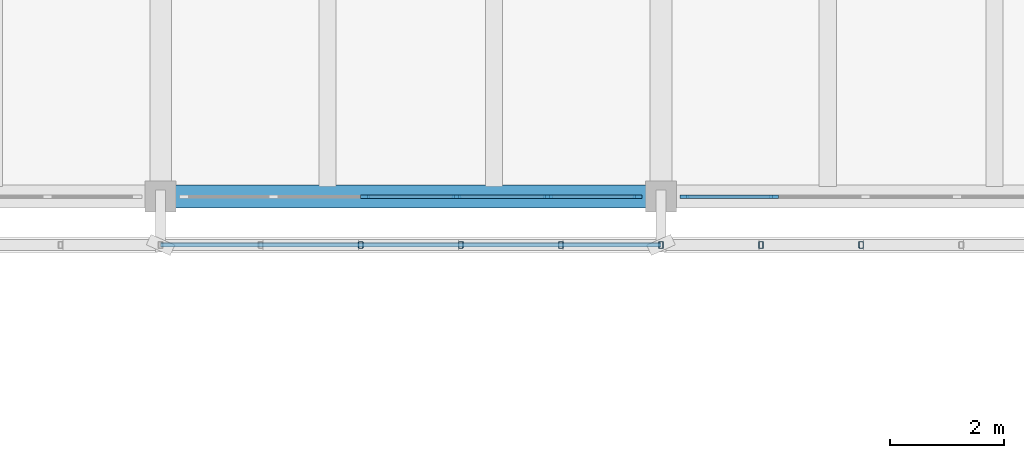
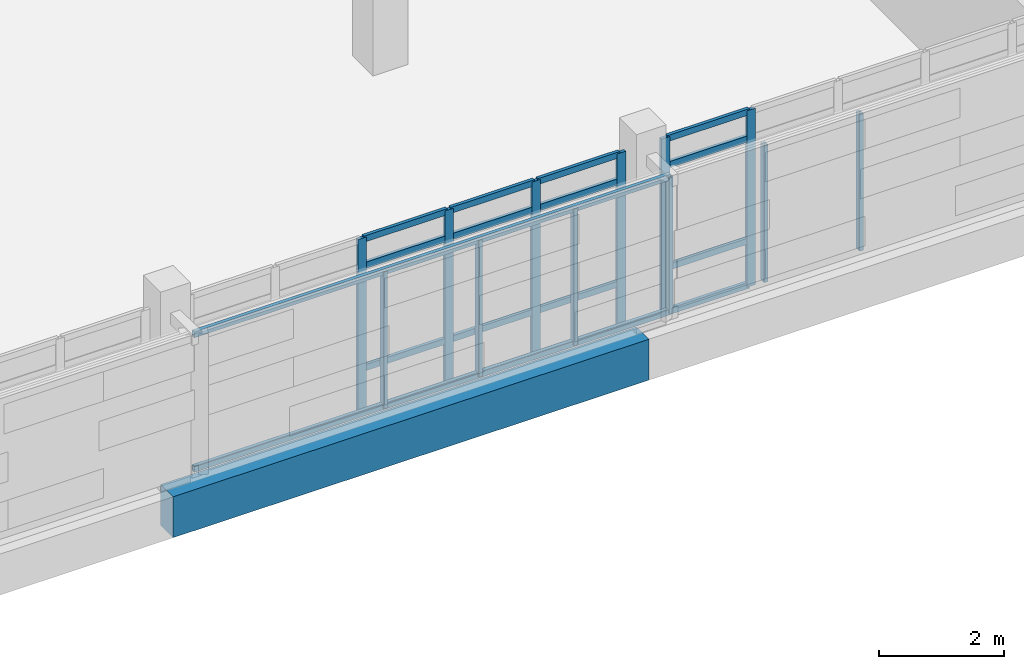
# One storey, part 57 of 117: 30 members, 1 beam, 2 elements without a shape of their own.
"""IFC4 building model written with IfcOpenShell, lengths in metres."""

from ifc_helpers import new_model, si_unit, direction, frame, origin, origin_2d, place, context, subcontext, project, spatial, rectangle, hollow_rectangle, extrude, material, material_profile, profile_set, type_object, element, aggregate, save


model = new_model("IFC4")

# Units and contexts
model_context = context("Model", 3, precision=1e-05, world=origin(), true_north=direction((0.0, 1.0)))
body_context = subcontext(model_context, "Body", "Model", "MODEL_VIEW")
ifc_project = project(units=[si_unit("LENGTHUNIT", "METRE"), si_unit("AREAUNIT", "SQUARE_METRE"), si_unit("VOLUMEUNIT", "CUBIC_METRE"), si_unit("PLANEANGLEUNIT", "RADIAN"), si_unit("MASSUNIT", "GRAM", prefix="KILO")], contexts=[model_context])

# Site, building, storey
site_placement = place(None, origin())
site = spatial("IfcSite", under=ifc_project, at=site_placement, CompositionType="ELEMENT")
building_placement = place(site_placement, origin())
building = spatial("IfcBuilding", under=site, at=building_placement, Name="Cinderway Yard Community Centre", CompositionType="ELEMENT")
storey_placement = place(building_placement, frame((0.0, 0.0, 9.0)))
storey = spatial("IfcBuildingStorey", under=building, at=storey_placement, Name="L02", CompositionType="ELEMENT", Elevation=9.0)

# Curtain wall, members
ifc_material_1 = material(Name="Aluminium 6063-T6", Category="aluminium")
curtain_wall_type = type_object("IfcCurtainWallType", Name="ENV-CW-TYPE-30", PredefinedType="USERDEFINED", material=ifc_material_1)
curtain_wall_1_placement = place(storey_placement, origin())
curtain_wall_1 = element("IfcCurtainWall", 1, at=curtain_wall_1_placement, inside=storey, type_object=curtain_wall_type, Name="V4 Courtyard Curtain Wall ENV-CW-L02-ST-0153", ObjectType="GLAZED CURTAIN WALL", PredefinedType="USERDEFINED")
ifc_material_profile_1 = material_profile(ifc_material_1, rectangle(XDim=0.06005859375, YDim=0.159912109375, at=origin_2d()), Name="Aluminium 6063-T6")
ifc_profile_set_1 = profile_set([ifc_material_profile_1], Name="Aluminium 6063-T6")
member_type_1 = type_object("IfcMemberType", Name="ENV-CW-MULL-150", PredefinedType="MULLION", material=ifc_profile_set_1)
member_1_placement = place(storey_placement, frame((105.196044921875, 90.0, 0.0), z_axis=(0.0, 0.0, 1.0), x_axis=(0.0, 1.0, 0.0)))
member_1 = element("IfcMember", 2, at=member_1_placement, type_object=member_type_1, Name="CW-30 mullion 3", PredefinedType="MULLION", context=body_context, shape_type="SweptSolid", body=[
    extrude(rectangle(XDim=0.06005859375, YDim=0.159912109375, at=origin_2d()), origin(), (0.0, 0.0, 1.0), 3.449951171875),
])
member_2_placement = place(storey_placement, frame((106.803955078125, 90.0, 0.0), z_axis=(0.0, 0.0, 1.0), x_axis=(0.0, 1.0, 0.0)))
member_2 = element("IfcMember", 3, at=member_2_placement, type_object=member_type_1, Name="CW-30 mullion 4", PredefinedType="MULLION", context=body_context, shape_type="SweptSolid", body=[
    extrude(rectangle(XDim=0.06005859375, YDim=0.159912109375, at=origin_2d()), origin(), (0.0, 0.0, 1.0), 3.449951171875),
])
member_3_placement = place(storey_placement, frame((108.412109375, 90.0, 0.0), z_axis=(0.0, 0.0, 1.0), x_axis=(0.0, 1.0, 0.0)))
member_3 = element("IfcMember", 4, at=member_3_placement, type_object=member_type_1, Name="CW-30 mullion 5", PredefinedType="MULLION", context=body_context, shape_type="SweptSolid", body=[
    extrude(rectangle(XDim=0.06005859375, YDim=0.159912109375, at=origin_2d()), origin(), (0.0, 0.0, 1.0), 3.449951171875),
])
member_4_placement = place(storey_placement, frame((109.989990234375, 90.0, 0.0), z_axis=(0.0, 0.0, 1.0), x_axis=(0.0, 1.0, 0.0)))
member_4 = element("IfcMember", 5, at=member_4_placement, type_object=member_type_1, Name="CW-30 mullion 6", PredefinedType="MULLION", context=body_context, shape_type="SweptSolid", body=[
    extrude(rectangle(XDim=0.06005859375, YDim=0.159912109375, at=origin_2d()), origin(), (0.0, 0.0, 1.0), 3.449951171875),
])

curtain_wall_2_placement = place(storey_placement, origin())
curtain_wall_2 = element("IfcCurtainWall", 6, at=curtain_wall_2_placement, inside=storey, type_object=curtain_wall_type, Name="V4 Courtyard Curtain Wall ENV-CW-L02-ST-0155", ObjectType="GLAZED CURTAIN WALL", PredefinedType="USERDEFINED")
member_5_placement = place(storey_placement, frame((110.81005859375, 90.0, 0.0), z_axis=(0.0, 0.0, 1.0), x_axis=(0.0, 1.0, 0.0)))
member_5 = element("IfcMember", 7, at=member_5_placement, type_object=member_type_1, Name="CW-30 mullion 1", PredefinedType="MULLION", context=body_context, shape_type="SweptSolid", body=[
    extrude(rectangle(XDim=0.06005859375, YDim=0.159912109375, at=origin_2d()), origin(), (0.0, 0.0, 1.0), 3.449951171875),
])
member_6_placement = place(storey_placement, frame((112.387939453125, 90.0, 0.0), z_axis=(0.0, 0.0, 1.0), x_axis=(0.0, 1.0, 0.0)))
member_6 = element("IfcMember", 8, at=member_6_placement, type_object=member_type_1, Name="CW-30 mullion 2", PredefinedType="MULLION", context=body_context, shape_type="SweptSolid", body=[
    extrude(rectangle(XDim=0.06005859375, YDim=0.159912109375, at=origin_2d()), origin(), (0.0, 0.0, 1.0), 3.449951171875),
])

# Member
ifc_material_profile_2 = material_profile(ifc_material_1, rectangle(XDim=0.06005859375, YDim=0.1201171875, at=origin_2d()), Name="Aluminium 6063-T6")
ifc_profile_set_2 = profile_set([ifc_material_profile_2], Name="Aluminium 6063-T6")
member_type_2 = type_object("IfcMemberType", Name="ENV-CW-TRAN-110", PredefinedType="USERDEFINED", material=ifc_profile_set_2)
member_7_placement = place(storey_placement, frame((105.22607421875, 90.0, 0.030029296875), z_axis=(1.0, 0.0, 0.0), x_axis=(0.0, 1.0, 0.0)))
member_7 = element("IfcMember", 9, at=member_7_placement, type_object=member_type_2, Name="CW-30 transom 3.1", ObjectType="TRANSOM", PredefinedType="USERDEFINED", context=body_context, shape_type="SweptSolid", body=[
    extrude(rectangle(XDim=0.06005859375, YDim=0.1201171875, at=origin_2d()), origin(), (0.0, 0.0, 1.0), 1.5478515625),
])

member_8_placement = place(storey_placement, frame((105.22607421875, 90.0, 0.89990234375), z_axis=(1.0, 0.0, 0.0), x_axis=(0.0, 1.0, 0.0)))
member_8 = element("IfcMember", 10, at=member_8_placement, type_object=member_type_2, Name="CW-30 transom 3.2", ObjectType="TRANSOM", PredefinedType="USERDEFINED", context=body_context, shape_type="SweptSolid", body=[
    extrude(rectangle(XDim=0.06005859375, YDim=0.1201171875, at=origin_2d()), origin(), (0.0, 0.0, 1.0), 1.5478515625),
])

member_9_placement = place(storey_placement, frame((105.22607421875, 90.0, 2.89990234375), z_axis=(1.0, 0.0, 0.0), x_axis=(0.0, 1.0, 0.0)))
member_9 = element("IfcMember", 11, at=member_9_placement, type_object=member_type_2, Name="CW-30 transom 3.3", ObjectType="TRANSOM", PredefinedType="USERDEFINED", context=body_context, shape_type="SweptSolid", body=[
    extrude(rectangle(XDim=0.06005859375, YDim=0.1201171875, at=origin_2d()), origin(), (0.0, 0.0, 1.0), 1.5478515625),
])

member_10_placement = place(storey_placement, frame((105.22607421875, 90.0, 3.419921875), z_axis=(1.0, 0.0, 0.0), x_axis=(0.0, 1.0, 0.0)))
member_10 = element("IfcMember", 12, at=member_10_placement, type_object=member_type_2, Name="CW-30 transom 3.4", ObjectType="TRANSOM", PredefinedType="USERDEFINED", context=body_context, shape_type="SweptSolid", body=[
    extrude(rectangle(XDim=0.06005859375, YDim=0.1201171875, at=origin_2d()), origin(), (0.0, 0.0, 1.0), 1.5478515625),
])

member_11_placement = place(storey_placement, frame((106.833984375, 90.0, 0.030029296875), z_axis=(1.0, 0.0, 0.0), x_axis=(0.0, 1.0, 0.0)))
member_11 = element("IfcMember", 13, at=member_11_placement, type_object=member_type_2, Name="CW-30 transom 4.1", ObjectType="TRANSOM", PredefinedType="USERDEFINED", context=body_context, shape_type="SweptSolid", body=[
    extrude(rectangle(XDim=0.06005859375, YDim=0.1201171875, at=origin_2d()), origin(), (0.0, 0.0, 1.0), 1.548095703125),
])

member_12_placement = place(storey_placement, frame((106.833984375, 90.0, 0.89990234375), z_axis=(1.0, 0.0, 0.0), x_axis=(0.0, 1.0, 0.0)))
member_12 = element("IfcMember", 14, at=member_12_placement, type_object=member_type_2, Name="CW-30 transom 4.2", ObjectType="TRANSOM", PredefinedType="USERDEFINED", context=body_context, shape_type="SweptSolid", body=[
    extrude(rectangle(XDim=0.06005859375, YDim=0.1201171875, at=origin_2d()), origin(), (0.0, 0.0, 1.0), 1.548095703125),
])

member_13_placement = place(storey_placement, frame((106.833984375, 90.0, 2.89990234375), z_axis=(1.0, 0.0, 0.0), x_axis=(0.0, 1.0, 0.0)))
member_13 = element("IfcMember", 15, at=member_13_placement, type_object=member_type_2, Name="CW-30 transom 4.3", ObjectType="TRANSOM", PredefinedType="USERDEFINED", context=body_context, shape_type="SweptSolid", body=[
    extrude(rectangle(XDim=0.06005859375, YDim=0.1201171875, at=origin_2d()), origin(), (0.0, 0.0, 1.0), 1.548095703125),
])

member_14_placement = place(storey_placement, frame((106.833984375, 90.0, 3.419921875), z_axis=(1.0, 0.0, 0.0), x_axis=(0.0, 1.0, 0.0)))
member_14 = element("IfcMember", 16, at=member_14_placement, type_object=member_type_2, Name="CW-30 transom 4.4", ObjectType="TRANSOM", PredefinedType="USERDEFINED", context=body_context, shape_type="SweptSolid", body=[
    extrude(rectangle(XDim=0.06005859375, YDim=0.1201171875, at=origin_2d()), origin(), (0.0, 0.0, 1.0), 1.548095703125),
])

member_15_placement = place(storey_placement, frame((108.44189453125, 90.0, 0.030029296875), z_axis=(1.0, 0.0, 0.0), x_axis=(0.0, 1.0, 0.0)))
member_15 = element("IfcMember", 17, at=member_15_placement, type_object=member_type_2, Name="CW-30 transom 5.1", ObjectType="TRANSOM", PredefinedType="USERDEFINED", context=body_context, shape_type="SweptSolid", body=[
    extrude(rectangle(XDim=0.06005859375, YDim=0.1201171875, at=origin_2d()), origin(), (0.0, 0.0, 1.0), 1.51806640625),
])

member_16_placement = place(storey_placement, frame((108.44189453125, 90.0, 0.89990234375), z_axis=(1.0, 0.0, 0.0), x_axis=(0.0, 1.0, 0.0)))
member_16 = element("IfcMember", 18, at=member_16_placement, type_object=member_type_2, Name="CW-30 transom 5.2", ObjectType="TRANSOM", PredefinedType="USERDEFINED", context=body_context, shape_type="SweptSolid", body=[
    extrude(rectangle(XDim=0.06005859375, YDim=0.1201171875, at=origin_2d()), origin(), (0.0, 0.0, 1.0), 1.51806640625),
])

member_17_placement = place(storey_placement, frame((108.44189453125, 90.0, 2.89990234375), z_axis=(1.0, 0.0, 0.0), x_axis=(0.0, 1.0, 0.0)))
member_17 = element("IfcMember", 19, at=member_17_placement, type_object=member_type_2, Name="CW-30 transom 5.3", ObjectType="TRANSOM", PredefinedType="USERDEFINED", context=body_context, shape_type="SweptSolid", body=[
    extrude(rectangle(XDim=0.06005859375, YDim=0.1201171875, at=origin_2d()), origin(), (0.0, 0.0, 1.0), 1.51806640625),
])

member_18_placement = place(storey_placement, frame((108.44189453125, 90.0, 3.419921875), z_axis=(1.0, 0.0, 0.0), x_axis=(0.0, 1.0, 0.0)))
member_18 = element("IfcMember", 20, at=member_18_placement, type_object=member_type_2, Name="CW-30 transom 5.4", ObjectType="TRANSOM", PredefinedType="USERDEFINED", context=body_context, shape_type="SweptSolid", body=[
    extrude(rectangle(XDim=0.06005859375, YDim=0.1201171875, at=origin_2d()), origin(), (0.0, 0.0, 1.0), 1.51806640625),
])

aggregate(curtain_wall_1, [member_1, member_2, member_3, member_4, member_7, member_8, member_9, member_10, member_11, member_12, member_13, member_14, member_15, member_16, member_17, member_18])

member_19_placement = place(storey_placement, frame((110.840087890625, 90.0, 0.030029296875), z_axis=(1.0, 0.0, 0.0), x_axis=(0.0, 1.0, 0.0)))
member_19 = element("IfcMember", 21, at=member_19_placement, type_object=member_type_2, Name="CW-30 transom 1.1", ObjectType="TRANSOM", PredefinedType="USERDEFINED", context=body_context, shape_type="SweptSolid", body=[
    extrude(rectangle(XDim=0.06005859375, YDim=0.1201171875, at=origin_2d()), origin(), (0.0, 0.0, 1.0), 1.517822265625),
])

member_20_placement = place(storey_placement, frame((110.840087890625, 90.0, 0.89990234375), z_axis=(1.0, 0.0, 0.0), x_axis=(0.0, 1.0, 0.0)))
member_20 = element("IfcMember", 22, at=member_20_placement, type_object=member_type_2, Name="CW-30 transom 1.2", ObjectType="TRANSOM", PredefinedType="USERDEFINED", context=body_context, shape_type="SweptSolid", body=[
    extrude(rectangle(XDim=0.06005859375, YDim=0.1201171875, at=origin_2d()), origin(), (0.0, 0.0, 1.0), 1.517822265625),
])

member_21_placement = place(storey_placement, frame((110.840087890625, 90.0, 2.89990234375), z_axis=(1.0, 0.0, 0.0), x_axis=(0.0, 1.0, 0.0)))
member_21 = element("IfcMember", 23, at=member_21_placement, type_object=member_type_2, Name="CW-30 transom 1.3", ObjectType="TRANSOM", PredefinedType="USERDEFINED", context=body_context, shape_type="SweptSolid", body=[
    extrude(rectangle(XDim=0.06005859375, YDim=0.1201171875, at=origin_2d()), origin(), (0.0, 0.0, 1.0), 1.517822265625),
])

member_22_placement = place(storey_placement, frame((110.840087890625, 90.0, 3.419921875), z_axis=(1.0, 0.0, 0.0), x_axis=(0.0, 1.0, 0.0)))
member_22 = element("IfcMember", 24, at=member_22_placement, type_object=member_type_2, Name="CW-30 transom 1.4", ObjectType="TRANSOM", PredefinedType="USERDEFINED", context=body_context, shape_type="SweptSolid", body=[
    extrude(rectangle(XDim=0.06005859375, YDim=0.1201171875, at=origin_2d()), origin(), (0.0, 0.0, 1.0), 1.517822265625),
])

aggregate(curtain_wall_2, [member_5, member_6, member_19, member_20, member_21, member_22])

# Members
ifc_material_2 = material(Name="Steel S355", Category="steel")
ifc_material_profile_3 = material_profile(ifc_material_2, hollow_rectangle(XDim=0.080078125, YDim=0.1201171875, WallThickness=0.00634765625, InnerFilletRadius=0.00634765625, OuterFilletRadius=0.0126953125, at=origin_2d()), Name="Steel S355")
ifc_profile_set_3 = profile_set([ifc_material_profile_3], Name="Steel S355")
member_type_3 = type_object("IfcMemberType", Name="ENV-MEM-SCREEN-RAIL-120", PredefinedType="STRINGER", material=ifc_profile_set_3)
for number, where, z_axis, x_axis, name in (
    (25, (101.60009765625, 89.14990234375, 0.7099609375), (1.0, 0.0, 0.0), (0.0, 1.0, 0.0), "Screen support rail 0471-BOT"),
    (26, (101.60009765625, 89.14990234375, 3.340087890625), (1.0, 0.0, 0.0), (0.0, 1.0, 0.0), "Screen support rail 0472-TOP"),
):
    element("IfcMember", number, at=place(storey_placement, frame(where, z_axis=z_axis, x_axis=x_axis)), inside=storey, type_object=member_type_3, Name=name, PredefinedType="STRINGER", context=body_context, shape_type="SweptSolid", body=[
        extrude(hollow_rectangle(XDim=0.080078125, YDim=0.1201171875, WallThickness=0.00634765625, InnerFilletRadius=0.00634765625, OuterFilletRadius=0.0126953125, at=origin_2d()), origin(), (0.0, 0.0, 1.0), 8.7998046875),
    ])
for number, where, z_axis, x_axis, name in (
    (27, (105.1201171875, 89.14990234375, 0.68994140625), (0.0, 0.0, 1.0), (1.0, 0.0, 0.0), "Screen vertical mullion 0474"),
    (28, (106.8798828125, 89.14990234375, 0.68994140625), (0.0, 0.0, 1.0), (1.0, 0.0, 0.0), "Screen vertical mullion 0475"),
    (29, (108.639892578125, 89.14990234375, 0.68994140625), (0.0, 0.0, 1.0), (1.0, 0.0, 0.0), "Screen vertical mullion 0476"),
    (30, (110.39990234375, 89.14990234375, 0.68994140625), (0.0, 0.0, 1.0), (1.0, 0.0, 0.0), "Screen vertical mullion 0477"),
    (31, (112.159912109375, 89.14990234375, 0.68994140625), (0.0, 0.0, 1.0), (1.0, 0.0, 0.0), "Screen vertical mullion 0481"),
    (32, (113.919921875, 89.14990234375, 0.68994140625), (0.0, 0.0, 1.0), (1.0, 0.0, 0.0), "Screen vertical mullion 0482"),
):
    element("IfcMember", number, at=place(storey_placement, frame(where, z_axis=z_axis, x_axis=x_axis)), inside=storey, type_object=member_type_3, Name=name, PredefinedType="STRINGER", context=body_context, shape_type="SweptSolid", body=[
        extrude(hollow_rectangle(XDim=0.080078125, YDim=0.1201171875, WallThickness=0.00634765625, InnerFilletRadius=0.00634765625, OuterFilletRadius=0.0126953125, at=origin_2d()), origin(), (0.0, 0.0, 1.0), 2.670166015625),
    ])

# Beam
ifc_material_3 = material(Name="Concrete C40/50", Category="concrete")
ifc_material_profile_4 = material_profile(ifc_material_3, rectangle(XDim=0.39990234375, YDim=0.800048828125, at=origin_2d()), Name="Concrete C40/50")
ifc_profile_set_4 = profile_set([ifc_material_profile_4], Name="Concrete C40/50")
beam_type = type_object("IfcBeamType", Name="STR-BM-RC400X800", PredefinedType="BEAM", material=ifc_profile_set_4)
beam_placement = place(storey_placement, frame((101.60009765625, 90.0, -0.639892578125), z_axis=(1.0, 0.0, 0.0), x_axis=(0.0, 1.0, 0.0)))
element("IfcBeam", 33, at=beam_placement, inside=storey, type_object=beam_type, Name="Primary girder STR-BM-L02-BG05-0503", PredefinedType="BEAM", context=body_context, shape_type="SweptSolid", body=[
    extrude(rectangle(XDim=0.39990234375, YDim=0.800048828125, at=origin_2d()), origin(), (0.0, 0.0, 1.0), 8.7998046875),
])

save(model, "model.ifc")
